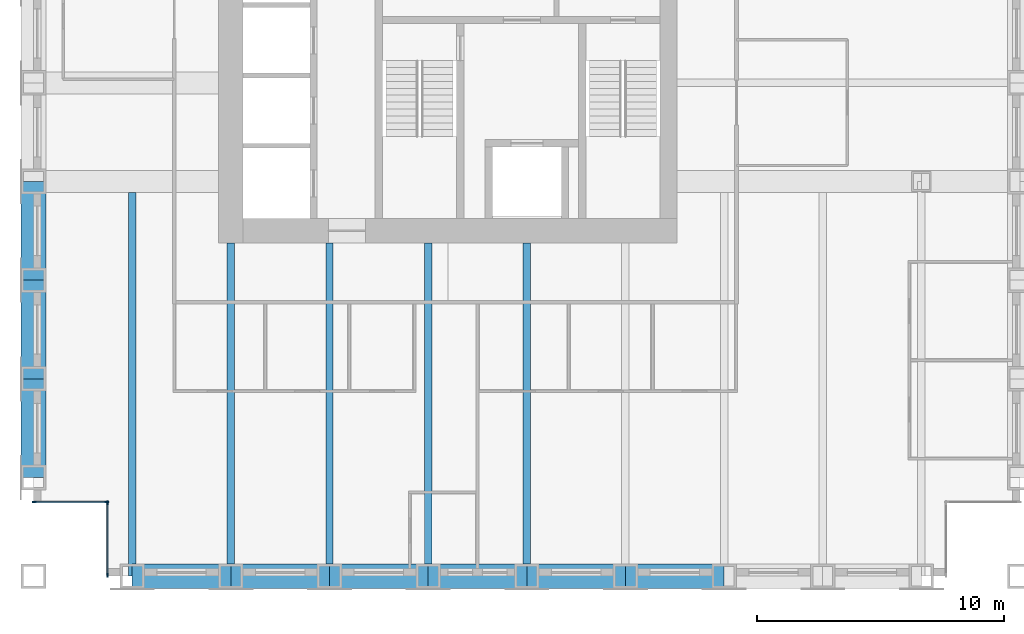
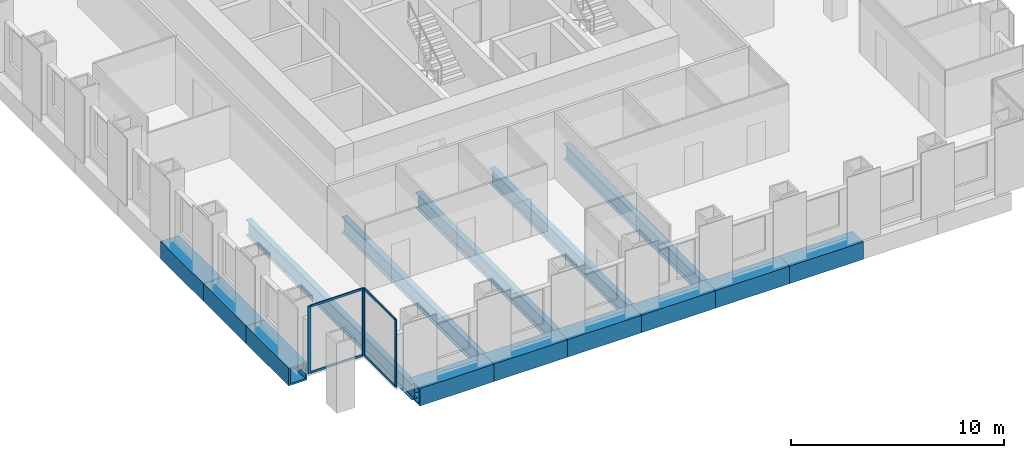
# One storey, part 2 of 13: 14 beams, 8 members, 2 elements without a shape of their own.
"""IFC4 building model written with IfcOpenShell, lengths in metres."""

from ifc_helpers import new_model, si_unit, direction, frame, origin, origin_2d, place, context, subcontext, project, spatial, rectangle, hollow_rectangle, i_section, extrude, material, material_profile, profile_set, type_object, element, aggregate, save


model = new_model("IFC4")

# Units and contexts
model_context = context("Model", 3, precision=1e-05, world=origin(), true_north=direction((0.0, 1.0)))
body_context = subcontext(model_context, "Body", "Model", "MODEL_VIEW")
ifc_project = project(units=[si_unit("LENGTHUNIT", "METRE"), si_unit("AREAUNIT", "SQUARE_METRE"), si_unit("VOLUMEUNIT", "CUBIC_METRE"), si_unit("PLANEANGLEUNIT", "RADIAN"), si_unit("MASSUNIT", "GRAM", prefix="KILO")], contexts=[model_context])

# Site, building, storey
site_placement = place(None, origin())
site = spatial("IfcSite", under=ifc_project, at=site_placement, CompositionType="ELEMENT")
building_placement = place(site_placement, origin())
building = spatial("IfcBuilding", under=site, at=building_placement, Name="Rimbunsela Tower", CompositionType="ELEMENT")
storey_placement = place(building_placement, frame((0.0, 0.0, 262.199951171875)))
storey = spatial("IfcBuildingStorey", under=building, at=storey_placement, Name="L63", CompositionType="ELEMENT", Elevation=262.199951171875)

# Beams
ifc_material_1 = material(Name="Steel BJ 55 (fy 410 MPa)", Category="steel")
ifc_material_profile_1 = material_profile(ifc_material_1, hollow_rectangle(XDim=1.0, YDim=1.0, WallThickness=0.10009765625, at=origin_2d()), Name="BOX 1000x1000x100")
ifc_profile_set_1 = profile_set([ifc_material_profile_1], Name="Steel BJ 55 (fy 410 MPa)")
beam_type_1 = type_object("IfcBeamType", Name="Beam BOX 1000x1000x100", PredefinedType="BEAM", material=ifc_profile_set_1)
for number, where, z_axis, x_axis, name in (
    (1, (10.0, 8.0, -0.64990234375), (0.0, 1.0, 0.0), (-1.0, 0.0, 0.0), "Beam B3 L63"),
    (2, (10.0, 12.0, -0.64990234375), (0.0, 1.0, 0.0), (-1.0, 0.0, 0.0), "Beam B3 L63"),
    (3, (10.0, 16.0, -0.64990234375), (0.0, 1.0, 0.0), (-1.0, 0.0, 0.0), "Beam B3 L63"),
    (4, (14.0, 4.0, -0.64990234375), (1.0, 0.0, 0.0), (0.0, 1.0, 0.0), "Beam B3 L63"),
    (5, (18.0, 4.0, -0.64990234375), (1.0, 0.0, 0.0), (0.0, 1.0, 0.0), "Beam B3 L63"),
    (6, (22.0, 4.0, -0.64990234375), (1.0, 0.0, 0.0), (0.0, 1.0, 0.0), "Beam B3 L63"),
    (7, (26.0, 4.0, -0.64990234375), (1.0, 0.0, 0.0), (0.0, 1.0, 0.0), "Beam B3 L63"),
    (8, (30.0, 4.0, -0.64990234375), (1.0, 0.0, 0.0), (0.0, 1.0, 0.0), "Beam B3 L63"),
    (9, (34.0, 4.0, -0.64990234375), (1.0, 0.0, 0.0), (0.0, 1.0, 0.0), "Beam B3 L63"),
):
    element("IfcBeam", number, at=place(storey_placement, frame(where, z_axis=z_axis, x_axis=x_axis)), inside=storey, type_object=beam_type_1, Name=name, PredefinedType="BEAM", context=body_context, shape_type="SweptSolid", body=[
        extrude(hollow_rectangle(XDim=1.0, YDim=1.0, WallThickness=0.10009765625, at=origin_2d()), origin(), (0.0, 0.0, 1.0), 4.0),
    ])
ifc_material_2 = material(Name="Steel BJ 55 (fy 410 MPa)", Category="steel")
ifc_material_profile_2 = material_profile(ifc_material_2, i_section(OverallWidth=0.300048828125, OverallDepth=0.89990234375, WebThickness=0.01611328125, FlangeThickness=0.028076171875, FilletRadius=0.028076171875, at=origin_2d()), Name="H 900x300x16x28")
ifc_profile_set_2 = profile_set([ifc_material_profile_2], Name="Steel BJ 55 (fy 410 MPa)")
beam_type_2 = type_object("IfcBeamType", Name="Beam H 900x300x16x28", PredefinedType="BEAM", material=ifc_profile_set_2)
beam_placement = place(storey_placement, frame((14.0, 4.0, -0.599853515625), z_axis=(0.0, 1.0, 0.0), x_axis=(-1.0, 0.0, 0.0)))
element("IfcBeam", 10, at=beam_placement, inside=storey, type_object=beam_type_2, Name="Beam B2 L63", PredefinedType="BEAM", context=body_context, shape_type="SweptSolid", body=[
    extrude(i_section(OverallWidth=0.300048828125, OverallDepth=0.89990234375, WebThickness=0.01611328125, FlangeThickness=0.028076171875, FilletRadius=0.028076171875, at=origin_2d()), origin(), (0.0, 0.0, 1.0), 15.550048828125),
])
for number, where, z_axis, x_axis, name in (
    (11, (18.0, 4.0, -0.599853515625), (0.0, 1.0, 0.0), (-1.0, 0.0, 0.0), "Beam B2 L63"),
    (12, (22.0, 4.0, -0.599853515625), (0.0, 1.0, 0.0), (-1.0, 0.0, 0.0), "Beam B2 L63"),
    (13, (26.0, 4.0, -0.599853515625), (0.0, 1.0, 0.0), (-1.0, 0.0, 0.0), "Beam B2 L63"),
    (14, (30.0, 4.0, -0.599853515625), (0.0, 1.0, 0.0), (-1.0, 0.0, 0.0), "Beam B2 L63"),
):
    element("IfcBeam", number, at=place(storey_placement, frame(where, z_axis=z_axis, x_axis=x_axis)), inside=storey, type_object=beam_type_2, Name=name, PredefinedType="BEAM", context=body_context, shape_type="SweptSolid", body=[
        extrude(i_section(OverallWidth=0.300048828125, OverallDepth=0.89990234375, WebThickness=0.01611328125, FlangeThickness=0.028076171875, FilletRadius=0.028076171875, at=origin_2d()), origin(), (0.0, 0.0, 1.0), 13.5),
    ])

# Curtain wall, members
ifc_material_3 = material(Name="Aluminium curtain wall", Category="aluminium")
curtain_wall_type = type_object("IfcCurtainWallType", Name="Corner glazing", PredefinedType="USERDEFINED", material=ifc_material_3)
curtain_wall_1_placement = place(storey_placement, origin())
curtain_wall_1 = element("IfcCurtainWall", 15, at=curtain_wall_1_placement, inside=storey, type_object=curtain_wall_type, Name="Corner glazing L63", ObjectType="CORNER GLAZING", PredefinedType="USERDEFINED")
ifc_material_4 = material(Name="Aluminium mullion", Category="aluminium")
ifc_material_profile_3 = material_profile(ifc_material_4, rectangle(XDim=0.06005859375, YDim=0.159912109375, at=origin_2d()), Name="Mullion 60x160")
ifc_profile_set_3 = profile_set([ifc_material_profile_3], Name="Aluminium mullion")
member_type_1 = type_object("IfcMemberType", Name="Curtain wall mullion 60x160", PredefinedType="MULLION", material=ifc_profile_set_3)
member_1_placement = place(storey_placement, frame((10.030029296875, 7.0, 0.0), z_axis=(0.0, 0.0, 1.0), x_axis=(0.0, 1.0, 0.0)))
member_1 = element("IfcMember", 16, at=member_1_placement, type_object=member_type_1, Name="CW5 mullion 1", PredefinedType="MULLION", context=body_context, shape_type="SweptSolid", body=[
    extrude(rectangle(XDim=0.06005859375, YDim=0.159912109375, at=origin_2d()), origin(), (0.0, 0.0, 1.0), 3.85009765625),
])
member_2_placement = place(storey_placement, frame((12.969970703125, 7.0, 0.0), z_axis=(0.0, 0.0, 1.0), x_axis=(0.0, 1.0, 0.0)))
member_2 = element("IfcMember", 17, at=member_2_placement, type_object=member_type_1, Name="CW5 mullion 2", PredefinedType="MULLION", context=body_context, shape_type="SweptSolid", body=[
    extrude(rectangle(XDim=0.06005859375, YDim=0.159912109375, at=origin_2d()), origin(), (0.0, 0.0, 1.0), 3.85009765625),
])

curtain_wall_2_placement = place(storey_placement, origin())
curtain_wall_2 = element("IfcCurtainWall", 18, at=curtain_wall_2_placement, inside=storey, type_object=curtain_wall_type, Name="Corner glazing L63", ObjectType="CORNER GLAZING", PredefinedType="USERDEFINED")
member_3_placement = place(storey_placement, frame((13.0, 6.969970703125, 0.0), z_axis=(0.0, 0.0, 1.0), x_axis=(1.0, 0.0, 0.0)))
member_3 = element("IfcMember", 19, at=member_3_placement, type_object=member_type_1, Name="CW5 mullion 1", PredefinedType="MULLION", context=body_context, shape_type="SweptSolid", body=[
    extrude(rectangle(XDim=0.06005859375, YDim=0.159912109375, at=origin_2d()), origin(), (0.0, 0.0, 1.0), 3.85009765625),
])
member_4_placement = place(storey_placement, frame((13.0, 4.030029296875, 0.0), z_axis=(0.0, 0.0, 1.0), x_axis=(1.0, 0.0, 0.0)))
member_4 = element("IfcMember", 20, at=member_4_placement, type_object=member_type_1, Name="CW5 mullion 2", PredefinedType="MULLION", context=body_context, shape_type="SweptSolid", body=[
    extrude(rectangle(XDim=0.06005859375, YDim=0.159912109375, at=origin_2d()), origin(), (0.0, 0.0, 1.0), 3.85009765625),
])

# Member
ifc_material_5 = material(Name="Aluminium transom", Category="aluminium")
ifc_material_profile_4 = material_profile(ifc_material_5, rectangle(XDim=0.06005859375, YDim=0.1201171875, at=origin_2d()), Name="Transom 60x120")
ifc_profile_set_4 = profile_set([ifc_material_profile_4], Name="Aluminium transom")
member_type_2 = type_object("IfcMemberType", Name="Curtain wall transom 60x120", PredefinedType="USERDEFINED", material=ifc_profile_set_4)
member_5_placement = place(storey_placement, frame((10.06005859375, 7.0, 0.030029296875), z_axis=(1.0, 0.0, 0.0), x_axis=(0.0, 1.0, 0.0)))
member_5 = element("IfcMember", 21, at=member_5_placement, type_object=member_type_2, Name="CW5 transom 1.1", ObjectType="TRANSOM", PredefinedType="USERDEFINED", context=body_context, shape_type="SweptSolid", body=[
    extrude(rectangle(XDim=0.06005859375, YDim=0.1201171875, at=origin_2d()), origin(), (0.0, 0.0, 1.0), 2.8798828125),
])

member_6_placement = place(storey_placement, frame((10.06005859375, 7.0, 3.820068359375), z_axis=(1.0, 0.0, 0.0), x_axis=(0.0, 1.0, 0.0)))
member_6 = element("IfcMember", 22, at=member_6_placement, type_object=member_type_2, Name="CW5 transom 1.2", ObjectType="TRANSOM", PredefinedType="USERDEFINED", context=body_context, shape_type="SweptSolid", body=[
    extrude(rectangle(XDim=0.06005859375, YDim=0.1201171875, at=origin_2d()), origin(), (0.0, 0.0, 1.0), 2.8798828125),
])

aggregate(curtain_wall_1, [member_1, member_2, member_5, member_6])

member_7_placement = place(storey_placement, frame((13.0, 6.93994140625, 0.030029296875), z_axis=(0.0, -1.0, 0.0), x_axis=(1.0, 0.0, 0.0)))
member_7 = element("IfcMember", 23, at=member_7_placement, type_object=member_type_2, Name="CW5 transom 1.1", ObjectType="TRANSOM", PredefinedType="USERDEFINED", context=body_context, shape_type="SweptSolid", body=[
    extrude(rectangle(XDim=0.06005859375, YDim=0.1201171875, at=origin_2d()), origin(), (0.0, 0.0, 1.0), 2.8798828125),
])

member_8_placement = place(storey_placement, frame((13.0, 6.93994140625, 3.820068359375), z_axis=(0.0, -1.0, 0.0), x_axis=(1.0, 0.0, 0.0)))
member_8 = element("IfcMember", 24, at=member_8_placement, type_object=member_type_2, Name="CW5 transom 1.2", ObjectType="TRANSOM", PredefinedType="USERDEFINED", context=body_context, shape_type="SweptSolid", body=[
    extrude(rectangle(XDim=0.06005859375, YDim=0.1201171875, at=origin_2d()), origin(), (0.0, 0.0, 1.0), 2.8798828125),
])

aggregate(curtain_wall_2, [member_3, member_4, member_7, member_8])

save(model, "model.ifc")
